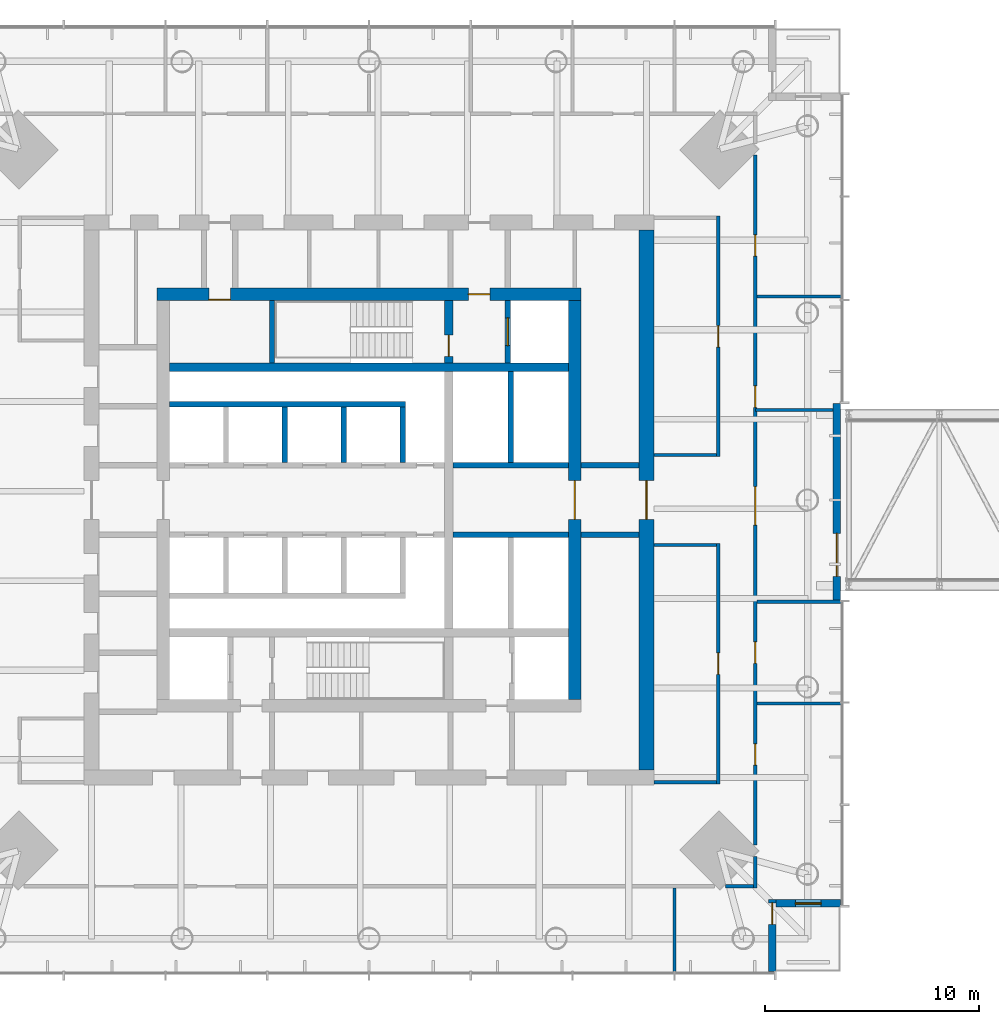
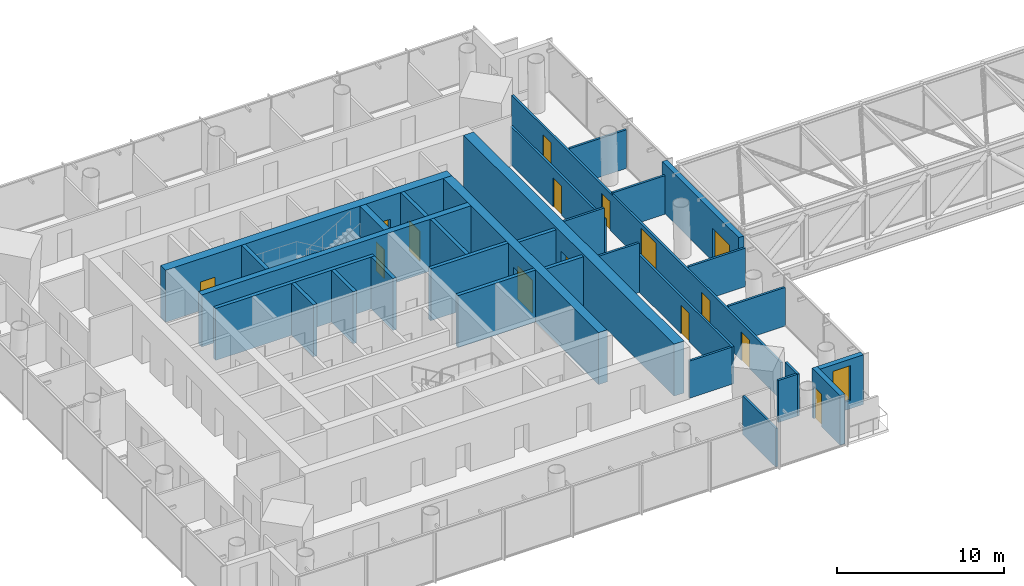
# One storey, part 14 of 19: 32 walls, 15 doors, 1 window, 16 openings.
"""IFC4 building model written with IfcOpenShell, lengths in metres."""

from ifc_helpers import new_model, si_unit, direction, frame, frame_2d, origin, place, context, subcontext, project, spatial, rectangle, extrude, material, layer, layer_set, type_object, element, fill, save


model = new_model("IFC4")

# Units and contexts
model_context = context("Model", 3, precision=1e-05, world=origin(), true_north=direction((0.0, 1.0)))
body_context = subcontext(model_context, "Body", "Model", "MODEL_VIEW")
ifc_project = project(units=[si_unit("LENGTHUNIT", "METRE"), si_unit("AREAUNIT", "SQUARE_METRE"), si_unit("VOLUMEUNIT", "CUBIC_METRE"), si_unit("PLANEANGLEUNIT", "RADIAN"), si_unit("MASSUNIT", "GRAM", prefix="KILO")], contexts=[model_context])

# Site, building, storey
site_placement = place(None, origin())
site = spatial("IfcSite", under=ifc_project, at=site_placement, CompositionType="ELEMENT")
building_placement = place(site_placement, origin())
building = spatial("IfcBuilding", under=site, at=building_placement, Name="Ostroluk Exchange", CompositionType="ELEMENT")
storey_placement = place(building_placement, frame((0.0, 0.0, 131.199951171875)))
storey = spatial("IfcBuildingStorey", under=building, at=storey_placement, Name="L33", CompositionType="ELEMENT", Elevation=131.199951171875)

# Walls
ifc_material_1 = material(Name="Concrete blockwork", Category="masonry")
ifc_layer_1 = layer(ifc_material_1, 0.25)
ifc_layer_set_1 = layer_set([ifc_layer_1], Name="Blockwork stair enclosure wall 250")
wall_type_1 = type_object("IfcWallType", Name="Blockwork stair enclosure wall 250", PredefinedType="SOLIDWALL", material=ifc_layer_set_1)
for number, where, z_axis, x_axis, name in (
    (1, (54.89990234375, 44.375, 0.0), (0.0, 0.0, 1.0), (1.0, 0.0, 0.0), "Lift lobby enclosure wall"),
    (2, (54.89990234375, 47.625, 0.0), (0.0, 0.0, 1.0), (1.0, 0.0, 0.0), "Lift lobby enclosure wall"),
):
    element("IfcWall", number, at=place(storey_placement, frame(where, z_axis=z_axis, x_axis=x_axis)), inside=storey, type_object=wall_type_1, Name=name, PredefinedType="SOLIDWALL", context=body_context, shape_type="SweptSolid", body=[
        extrude(rectangle(XDim=2.7001953125, YDim=0.25, at=frame_2d((1.35009765625, 0.0))), origin(), (0.0, 0.0, 1.0), 3.6201171875),
    ])
ifc_material_2 = material(Name="Concrete C50/60", Category="concrete")
ifc_layer_2 = layer(ifc_material_2, 0.39990234375)
ifc_layer_set_2 = layer_set([ifc_layer_2], Name="Core cross wall 400 C50/60")
wall_type_2 = type_object("IfcWallType", Name="Core cross wall 400 C50/60", PredefinedType="SHEAR", material=ifc_layer_set_2)
wall_1_placement = place(storey_placement, frame((35.699951171875, 52.199951171875, 0.0), z_axis=(0.0, 0.0, 1.0), x_axis=(1.0, 0.0, 0.0)))
element("IfcWall", 3, at=wall_1_placement, inside=storey, type_object=wall_type_2, Name="T1 core wall XN", PredefinedType="SHEAR", context=body_context, shape_type="SweptSolid", body=[
    extrude(rectangle(XDim=18.60009765625, YDim=0.39990234375, at=frame_2d((9.300048828125, 0.0))), origin(), (0.0, 0.0, 1.0), 3.800048828125),
])

# Wall, opening, door
wall_2_placement = place(storey_placement, frame((48.72998046875, 52.39990234375, 0.0), z_axis=(0.0, 0.0, 1.0), x_axis=(0.0, 1.0, 0.0)))
wall_2 = element("IfcWall", 4, at=wall_2_placement, inside=storey, type_object=wall_type_2, Name="T1 core wall YE3", PredefinedType="SHEAR", context=body_context, shape_type="SweptSolid", body=[
    extrude(rectangle(XDim=2.900146484375, YDim=0.39990234375, at=frame_2d((1.4501953125, 0.0))), origin(), (0.0, 0.0, 1.0), 3.800048828125),
])
opening_1_placement = place(wall_2_placement, frame((0.300048828125, 0.0, 0.0)))
opening_1 = element("IfcOpeningElement", 5, at=opening_1_placement, cuts=wall_2, Name="Opening FD60", PredefinedType="OPENING", context=body_context, shape_type="SweptSolid", body=[
    extrude(rectangle(XDim=1.0, YDim=2.10009765625, at=frame_2d((0.5, 1.050048828125))), frame((0.0, 0.2099609375, 0.0), z_axis=(0.0, -1.0, 0.0), x_axis=(1.0, 0.0, 0.0)), (0.0, 0.0, 1.0), 0.419921875),
])
ifc_material_3 = material(Name="Steel", Category="steel")
door_type_1 = type_object("IfcDoorType", Name="Fire door EI 60 1000 x 2100", OperationType="SINGLE_SWING_LEFT", PredefinedType="DOOR", material=ifc_material_3)
door_1_placement = place(opening_1_placement, origin())
door_1 = element("IfcDoor", 6, at=door_1_placement, inside=storey, type_object=door_type_1, Name="Stair T1-S2 door", OperationType="SINGLE_SWING_LEFT", OverallHeight=2.10009765625, OverallWidth=1.0, PredefinedType="DOOR", context=body_context, shape_type="SweptSolid", body=[
    extrude(rectangle(XDim=1.0, YDim=2.10009765625, at=frame_2d((0.5, 1.050048828125))), frame((0.0, 0.02490234375, 0.0), z_axis=(0.0, -1.0, 0.0), x_axis=(1.0, 0.0, 0.0)), (0.0, 0.0, 1.0), 0.050048828125),
])
fill(opening_1, door_1)

# Wall
ifc_material_4 = material(Name="Concrete C40/50", Category="concrete")
ifc_layer_3 = layer(ifc_material_4, 0.25)
ifc_layer_set_3 = layer_set([ifc_layer_3], Name="Core shaft wall 250")
wall_type_3 = type_object("IfcWallType", Name="Core shaft wall 250", PredefinedType="SHEAR", material=ifc_layer_set_3)
wall_3_placement = place(storey_placement, frame((40.47509765625, 52.39990234375, 0.0), z_axis=(0.0, 0.0, 1.0), x_axis=(0.0, 1.0, 0.0)))
element("IfcWall", 7, at=wall_3_placement, inside=storey, type_object=wall_type_3, Name="Stair shaft wall", PredefinedType="SHEAR", context=body_context, shape_type="SweptSolid", body=[
    extrude(rectangle(XDim=2.900146484375, YDim=0.25, at=frame_2d((1.4501953125, 0.0))), origin(), (0.0, 0.0, 1.0), 3.800048828125),
])

# Wall, opening, door
wall_4_placement = place(storey_placement, frame((51.47509765625, 52.39990234375, 0.0), z_axis=(0.0, 0.0, 1.0), x_axis=(0.0, 1.0, 0.0)))
wall_4 = element("IfcWall", 8, at=wall_4_placement, inside=storey, type_object=wall_type_3, Name="Firefighting lift shaft wall", PredefinedType="SHEAR", context=body_context, shape_type="SweptSolid", body=[
    extrude(rectangle(XDim=2.900146484375, YDim=0.25, at=frame_2d((1.4501953125, 0.0))), origin(), (0.0, 0.0, 1.0), 3.800048828125),
])
opening_2_placement = place(wall_4_placement, frame((0.800048828125, 0.0, 0.0)))
opening_2 = element("IfcOpeningElement", 9, at=opening_2_placement, cuts=wall_4, Name="Opening LD2", PredefinedType="OPENING", context=body_context, shape_type="SweptSolid", body=[
    extrude(rectangle(XDim=1.300048828125, YDim=2.199951171875, at=frame_2d((0.64990234375, 1.10009765625))), frame((0.0, 0.135009765625, 0.0), z_axis=(0.0, -1.0, 0.0), x_axis=(1.0, 0.0, 0.0)), (0.0, 0.0, 1.0), 0.27001953125),
])
ifc_material_5 = material(Name="Stainless steel", Category="steel")
door_type_2 = type_object("IfcDoorType", Name="Lift landing door E 60 1300 x 2200", OperationType="DOUBLE_DOOR_SLIDING", PredefinedType="DOOR", material=ifc_material_5)
door_2_placement = place(opening_2_placement, origin())
door_2 = element("IfcDoor", 10, at=door_2_placement, inside=storey, type_object=door_type_2, Name="Lift FL2 landing door", OperationType="DOUBLE_DOOR_SLIDING", OverallHeight=2.199951171875, OverallWidth=1.300048828125, PredefinedType="DOOR", context=body_context, shape_type="SweptSolid", body=[
    extrude(rectangle(XDim=1.300048828125, YDim=2.199951171875, at=frame_2d((0.64990234375, 1.10009765625))), frame((0.0, 0.02490234375, 0.0), z_axis=(0.0, -1.0, 0.0), x_axis=(1.0, 0.0, 0.0)), (0.0, 0.0, 1.0), 0.050048828125),
])
fill(opening_2, door_2)

# Walls
for number, where, z_axis, x_axis, name in (
    (11, (41.074951171875, 47.75, 0.0), (0.0, 0.0, 1.0), (0.0, 1.0, 0.0), "Lift shaft wall"),
    (12, (43.824951171875, 47.75, 0.0), (0.0, 0.0, 1.0), (0.0, 1.0, 0.0), "Lift shaft wall"),
    (13, (46.574951171875, 47.75, 0.0), (0.0, 0.0, 1.0), (0.0, 1.0, 0.0), "Lift shaft wall"),
):
    element("IfcWall", number, at=place(storey_placement, frame(where, z_axis=z_axis, x_axis=x_axis)), inside=storey, type_object=wall_type_3, Name=name, PredefinedType="SHEAR", context=body_context, shape_type="SweptSolid", body=[
        extrude(rectangle(XDim=2.60009765625, YDim=0.25, at=frame_2d((1.300048828125, 0.0))), origin(), (0.0, 0.0, 1.0), 3.800048828125),
    ])
wall_5_placement = place(storey_placement, frame((35.699951171875, 50.47509765625, 0.0), z_axis=(0.0, 0.0, 1.0), x_axis=(1.0, 0.0, 0.0)))
element("IfcWall", 14, at=wall_5_placement, inside=storey, type_object=wall_type_3, Name="Lift shaft wall", PredefinedType="SHEAR", context=body_context, shape_type="SweptSolid", body=[
    extrude(rectangle(XDim=11.0, YDim=0.25, at=frame_2d((5.5, 0.0))), origin(), (0.0, 0.0, 1.0), 3.800048828125),
])
wall_6_placement = place(storey_placement, frame((51.614990234375, 47.75, 0.0), z_axis=(0.0, 0.0, 1.0), x_axis=(0.0, 1.0, 0.0)))
element("IfcWall", 15, at=wall_6_placement, inside=storey, type_object=wall_type_3, Name="Lift shaft wall", PredefinedType="SHEAR", context=body_context, shape_type="SweptSolid", body=[
    extrude(rectangle(XDim=4.25, YDim=0.25, at=frame_2d((2.125, 0.0))), origin(), (0.0, 0.0, 1.0), 3.800048828125),
])
for number, where, z_axis, x_axis, name in (
    (16, (48.929931640625, 47.625, 0.0), (0.0, 0.0, 1.0), (1.0, 0.0, 0.0), "Lift shaft front wall"),
    (17, (48.929931640625, 44.375, 0.0), (0.0, 0.0, 1.0), (1.0, 0.0, 0.0), "Lift shaft front wall"),
):
    element("IfcWall", number, at=place(storey_placement, frame(where, z_axis=z_axis, x_axis=x_axis)), inside=storey, type_object=wall_type_3, Name=name, PredefinedType="SHEAR", context=body_context, shape_type="SweptSolid", body=[
        extrude(rectangle(XDim=5.3701171875, YDim=0.25, at=frame_2d((2.68505859375, 0.0))), origin(), (0.0, 0.0, 1.0), 3.800048828125),
    ])

# Wall, openings, doors
ifc_material_6 = material(Name="Concrete C50/60", Category="concrete")
ifc_layer_4 = layer(ifc_material_6, 0.60009765625)
ifc_layer_set_4 = layer_set([ifc_layer_4], Name="Core wall 600 C50/60")
wall_type_4 = type_object("IfcWallType", Name="Core wall 600 C50/60", PredefinedType="SHEAR", material=ifc_layer_set_4)
wall_7_placement = place(storey_placement, frame((35.10009765625, 55.60009765625, 0.0), z_axis=(0.0, 0.0, 1.0), x_axis=(1.0, 0.0, 0.0)))
wall_7 = element("IfcWall", 18, at=wall_7_placement, inside=storey, type_object=wall_type_4, Name="T1 core wall N", PredefinedType="SHEAR", context=body_context, shape_type="SweptSolid", body=[
    extrude(rectangle(XDim=19.7998046875, YDim=0.60009765625, at=frame_2d((9.89990234375, 0.0))), origin(), (0.0, 0.0, 1.0), 3.800048828125),
])
opening_3_placement = place(wall_7_placement, frame((14.5400390625, 0.0, 0.0)))
opening_3 = element("IfcOpeningElement", 19, at=opening_3_placement, cuts=wall_7, Name="Opening FD60", PredefinedType="OPENING", context=body_context, shape_type="SweptSolid", body=[
    extrude(rectangle(XDim=1.0, YDim=2.10009765625, at=frame_2d((0.5, 1.050048828125))), frame((0.0, 0.31005859375, 0.0), z_axis=(0.0, -1.0, 0.0), x_axis=(1.0, 0.0, 0.0)), (0.0, 0.0, 1.0), 0.6201171875),
])
opening_4_placement = place(wall_7_placement, frame((2.425048828125, 0.0, 0.0)))
opening_4 = element("IfcOpeningElement", 20, at=opening_4_placement, cuts=wall_7, Name="Opening FD60", PredefinedType="OPENING", context=body_context, shape_type="SweptSolid", body=[
    extrude(rectangle(XDim=1.0, YDim=2.10009765625, at=frame_2d((0.5, 1.050048828125))), frame((0.0, 0.31005859375, 0.0), z_axis=(0.0, -1.0, 0.0), x_axis=(1.0, 0.0, 0.0)), (0.0, 0.0, 1.0), 0.6201171875),
])
door_3_placement = place(opening_3_placement, origin())
door_3 = element("IfcDoor", 21, at=door_3_placement, inside=storey, type_object=door_type_1, Name="Firefighting lobby door", OperationType="SINGLE_SWING_RIGHT", OverallHeight=2.10009765625, OverallWidth=1.0, PredefinedType="DOOR", context=body_context, shape_type="SweptSolid", body=[
    extrude(rectangle(XDim=1.0, YDim=2.10009765625, at=frame_2d((0.5, 1.050048828125))), frame((0.0, 0.02490234375, 0.0), z_axis=(0.0, -1.0, 0.0), x_axis=(1.0, 0.0, 0.0)), (0.0, 0.0, 1.0), 0.050048828125),
])
fill(opening_3, door_3)
door_4_placement = place(opening_4_placement, origin())
door_4 = element("IfcDoor", 22, at=door_4_placement, inside=storey, type_object=door_type_1, Name="Tea point door", OperationType="SINGLE_SWING_LEFT", OverallHeight=2.10009765625, OverallWidth=1.0, PredefinedType="DOOR", context=body_context, shape_type="SweptSolid", body=[
    extrude(rectangle(XDim=1.0, YDim=2.10009765625, at=frame_2d((0.5, 1.050048828125))), frame((0.0, -0.23974609375, 0.0), z_axis=(0.0, -1.0, 0.0), x_axis=(1.0, 0.0, 0.0)), (0.0, 0.0, 1.0), 0.050048828125),
])
fill(opening_4, door_4)

# Wall, opening, door
wall_8_placement = place(storey_placement, frame((54.60009765625, 36.699951171875, 0.0), z_axis=(0.0, 0.0, 1.0), x_axis=(0.0, 1.0, 0.0)))
wall_8 = element("IfcWall", 23, at=wall_8_placement, inside=storey, type_object=wall_type_4, Name="T1 core wall E", PredefinedType="SHEAR", context=body_context, shape_type="SweptSolid", body=[
    extrude(rectangle(XDim=18.60009765625, YDim=0.60009765625, at=frame_2d((9.300048828125, 0.0))), origin(), (0.0, 0.0, 1.0), 3.800048828125),
])
opening_5_placement = place(wall_8_placement, frame((8.39990234375, 0.0, 0.0)))
opening_5 = element("IfcOpeningElement", 24, at=opening_5_placement, cuts=wall_8, Name="Opening FD30D", PredefinedType="OPENING", context=body_context, shape_type="SweptSolid", body=[
    extrude(rectangle(XDim=1.800048828125, YDim=2.39990234375, at=frame_2d((0.89990234375, 1.199951171875))), frame((0.0, 0.31005859375, 0.0), z_axis=(0.0, -1.0, 0.0), x_axis=(1.0, 0.0, 0.0)), (0.0, 0.0, 1.0), 0.6201171875),
])
ifc_material_7 = material(Name="Timber", Category="wood")
door_type_3 = type_object("IfcDoorType", Name="Lobby double door EI 30 1800 x 2400", OperationType="DOUBLE_DOOR_SINGLE_SWING", PredefinedType="DOOR", material=ifc_material_7)
door_5_placement = place(opening_5_placement, origin())
door_5 = element("IfcDoor", 25, at=door_5_placement, inside=storey, type_object=door_type_3, Name="Lift lobby doors", OperationType="DOUBLE_DOOR_SINGLE_SWING", OverallHeight=2.39990234375, OverallWidth=1.800048828125, PredefinedType="DOOR", context=body_context, shape_type="SweptSolid", body=[
    extrude(rectangle(XDim=1.800048828125, YDim=2.39990234375, at=frame_2d((0.89990234375, 1.199951171875))), frame((0.0, 0.02490234375, 0.0), z_axis=(0.0, -1.0, 0.0), x_axis=(1.0, 0.0, 0.0)), (0.0, 0.0, 1.0), 0.050048828125),
])
fill(opening_5, door_5)

ifc_material_8 = material(Name="Concrete C50/60", Category="concrete")
ifc_layer_5 = layer(ifc_material_8, 0.699951171875)
ifc_layer_set_5 = layer_set([ifc_layer_5], Name="Core wall 700 C50/60")
wall_type_5 = type_object("IfcWallType", Name="Core wall 700 C50/60", PredefinedType="SHEAR", material=ifc_layer_set_5)
wall_9_placement = place(storey_placement, frame((57.949951171875, 33.39990234375, 0.0), z_axis=(0.0, 0.0, 1.0), x_axis=(0.0, 1.0, 0.0)))
wall_9 = element("IfcWall", 26, at=wall_9_placement, inside=storey, type_object=wall_type_5, Name="T1 core wall RE", PredefinedType="SHEAR", context=body_context, shape_type="SweptSolid", body=[
    extrude(rectangle(XDim=25.2001953125, YDim=0.699951171875, at=frame_2d((12.60009765625, 0.0))), origin(), (0.0, 0.0, 1.0), 3.800048828125),
])
opening_6_placement = place(wall_9_placement, frame((11.699951171875, 0.0, 0.0)))
opening_6 = element("IfcOpeningElement", 27, at=opening_6_placement, cuts=wall_9, Name="Opening FD30D", PredefinedType="OPENING", context=body_context, shape_type="SweptSolid", body=[
    extrude(rectangle(XDim=1.800048828125, YDim=2.39990234375, at=frame_2d((0.89990234375, 1.199951171875))), frame((0.0, 0.35986328125, 0.0), z_axis=(0.0, -1.0, 0.0), x_axis=(1.0, 0.0, 0.0)), (0.0, 0.0, 1.0), 0.719970703125),
])
door_6_placement = place(opening_6_placement, origin())
door_6 = element("IfcDoor", 28, at=door_6_placement, inside=storey, type_object=door_type_3, Name="Lift lobby doors", OperationType="DOUBLE_DOOR_SINGLE_SWING", OverallHeight=2.39990234375, OverallWidth=1.800048828125, PredefinedType="DOOR", context=body_context, shape_type="SweptSolid", body=[
    extrude(rectangle(XDim=1.800048828125, YDim=2.39990234375, at=frame_2d((0.89990234375, 1.199951171875))), frame((0.0, 0.02490234375, 0.0), z_axis=(0.0, -1.0, 0.0), x_axis=(1.0, 0.0, 0.0)), (0.0, 0.0, 1.0), 0.050048828125),
])
fill(opening_6, door_6)

ifc_material_9 = material(Name="Limestone", Category="masonry")
ifc_layer_6 = layer(ifc_material_9, 0.35009765625)
ifc_layer_set_6 = layer_set([ifc_layer_6], Name="Limestone facade wall 350")
wall_type_6 = type_object("IfcWallType", Name="Limestone facade wall 350", PredefinedType="SOLIDWALL", material=ifc_layer_set_6)
wall_10_placement = place(storey_placement, frame((63.824951171875, 24.0, 0.0), z_axis=(0.0, 0.0, 1.0), x_axis=(0.0, 1.0, 0.0)))
wall_10 = element("IfcWall", 29, at=wall_10_placement, inside=storey, type_object=wall_type_6, Name="Office tower SE corner wall L33 a", PredefinedType="SOLIDWALL", context=body_context, shape_type="SweptSolid", body=[
    extrude(rectangle(XDim=3.35009765625, YDim=0.35009765625, at=frame_2d((1.675048828125, 0.0))), origin(), (0.0, 0.0, 1.0), 3.6201171875),
])
opening_7_placement = place(wall_10_placement, frame((2.199951171875, 0.0, 0.0)))
opening_7 = element("IfcOpeningElement", 30, at=opening_7_placement, cuts=wall_10, Name="Opening D-B1", PredefinedType="OPENING", context=body_context, shape_type="SweptSolid", body=[
    extrude(rectangle(XDim=1.0, YDim=2.39990234375, at=frame_2d((0.5, 1.199951171875))), frame((0.0, 0.18505859375, 0.0), z_axis=(0.0, -1.0, 0.0), x_axis=(1.0, 0.0, 0.0)), (0.0, 0.0, 1.0), 0.3701171875),
])
ifc_material_10 = material(Name="Bronze framed glazed door", Category="aluminium")
door_type_4 = type_object("IfcDoorType", Name="Balcony door 1000 x 2400", OperationType="SINGLE_SWING_LEFT", PredefinedType="DOOR", material=ifc_material_10)
door_7_placement = place(opening_7_placement, origin())
door_7 = element("IfcDoor", 31, at=door_7_placement, inside=storey, type_object=door_type_4, Name="Office tower SE balcony door L33", OperationType="SINGLE_SWING_RIGHT", OverallHeight=2.39990234375, OverallWidth=1.0, PredefinedType="DOOR", context=body_context, shape_type="SweptSolid", body=[
    extrude(rectangle(XDim=1.0, YDim=2.39990234375, at=frame_2d((0.5, 1.199951171875))), frame((0.0, 0.02490234375, 0.0), z_axis=(0.0, -1.0, 0.0), x_axis=(1.0, 0.0, 0.0)), (0.0, 0.0, 1.0), 0.050048828125),
])
fill(opening_7, door_7)

# Wall, opening, window
wall_11_placement = place(storey_placement, frame((64.0, 27.175048828125, 0.0), z_axis=(0.0, 0.0, 1.0), x_axis=(1.0, 0.0, 0.0)))
wall_11 = element("IfcWall", 32, at=wall_11_placement, inside=storey, type_object=wall_type_6, Name="Office tower SE corner wall L33 b", PredefinedType="SOLIDWALL", context=body_context, shape_type="SweptSolid", body=[
    extrude(rectangle(XDim=3.0, YDim=0.35009765625, at=frame_2d((1.5, 0.0))), origin(), (0.0, 0.0, 1.0), 3.6201171875),
])
opening_8_placement = place(wall_11_placement, frame((0.89990234375, 0.0, 0.60009765625)))
opening_8 = element("IfcOpeningElement", 33, at=opening_8_placement, cuts=wall_11, Name="Opening WN-L1", PredefinedType="OPENING", context=body_context, shape_type="SweptSolid", body=[
    extrude(rectangle(XDim=1.199951171875, YDim=2.550048828125, at=frame_2d((0.60009765625, 1.27490234375))), frame((0.0, 0.18505859375, 0.0), z_axis=(0.0, -1.0, 0.0), x_axis=(1.0, 0.0, 0.0)), (0.0, 0.0, 1.0), 0.3701171875),
])
ifc_material_11 = material(Name="Laminated clear glass", Category="glass")
window_type = type_object("IfcWindowType", Name="Lancet window 1200 x 2550", PartitioningType="SINGLE_PANEL", PredefinedType="WINDOW", material=ifc_material_11)
window_placement = place(opening_8_placement, origin())
window = element("IfcWindow", 34, at=window_placement, inside=storey, type_object=window_type, Name="Office tower SE lancet window L33", OverallHeight=2.550048828125, OverallWidth=1.199951171875, PartitioningType="SINGLE_PANEL", PredefinedType="WINDOW", context=body_context, shape_type="SweptSolid", body=[
    extrude(rectangle(XDim=1.199951171875, YDim=2.550048828125, at=frame_2d((0.60009765625, 1.27490234375))), frame((0.0, 0.030029296875, 0.0), z_axis=(0.0, -1.0, 0.0), x_axis=(1.0, 0.0, 0.0)), (0.0, 0.0, 1.0), 0.06005859375),
])
fill(opening_8, window)

# Wall, opening, door
wall_12_placement = place(storey_placement, frame((66.824951171875, 41.324951171875, 0.0), z_axis=(0.0, 0.0, 1.0), x_axis=(0.0, 1.0, 0.0)))
wall_12 = element("IfcWall", 35, at=wall_12_placement, inside=storey, type_object=wall_type_6, Name="Office tower bridge portal wall", PredefinedType="SOLIDWALL", context=body_context, shape_type="SweptSolid", body=[
    extrude(rectangle(XDim=9.175048828125, YDim=0.35009765625, at=frame_2d((4.58740234375, 0.0))), origin(), (0.0, 0.0, 1.0), 3.6201171875),
])
opening_9_placement = place(wall_12_placement, frame((1.114990234375, 0.0, 0.0)))
opening_9 = element("IfcOpeningElement", 36, at=opening_9_placement, cuts=wall_12, Name="Opening D-F1", PredefinedType="OPENING", context=body_context, shape_type="SweptSolid", body=[
    extrude(rectangle(XDim=2.0, YDim=2.39990234375, at=frame_2d((1.0, 1.199951171875))), frame((0.0, 0.18505859375, 0.0), z_axis=(0.0, -1.0, 0.0), x_axis=(1.0, 0.0, 0.0)), (0.0, 0.0, 1.0), 0.3701171875),
])
ifc_material_12 = material(Name="Steel fire door", Category="steel")
door_type_5 = type_object("IfcDoorType", Name="Fire door 2000 x 2400 EI 60", OperationType="DOUBLE_DOOR_SINGLE_SWING", PredefinedType="DOOR", material=ifc_material_12)
door_8_placement = place(opening_9_placement, origin())
door_8 = element("IfcDoor", 37, at=door_8_placement, inside=storey, type_object=door_type_5, Name="Sky garden bridge fire door west", OperationType="DOUBLE_DOOR_SINGLE_SWING", OverallHeight=2.39990234375, OverallWidth=2.0, PredefinedType="DOOR", context=body_context, shape_type="SweptSolid", body=[
    extrude(rectangle(XDim=2.0, YDim=2.39990234375, at=frame_2d((1.0, 1.199951171875))), frame((0.0, 0.02490234375, 0.0), z_axis=(0.0, -1.0, 0.0), x_axis=(1.0, 0.0, 0.0)), (0.0, 0.0, 1.0), 0.050048828125),
])
fill(opening_9, door_8)

ifc_material_13 = material(Name="Gypsum plasterboard partition", Category="gypsum")
ifc_layer_7 = layer(ifc_material_13, 0.14990234375)
ifc_layer_set_7 = layer_set([ifc_layer_7], Name="Plasterboard partition 150")
wall_type_7 = type_object("IfcWallType", Name="Plasterboard partition 150", PredefinedType="PARTITIONING", material=ifc_layer_set_7)
wall_13_placement = place(storey_placement, frame((61.300048828125, 32.75, 0.0), z_axis=(0.0, 0.0, 1.0), x_axis=(0.0, 1.0, 0.0)))
wall_13 = element("IfcWall", 38, at=wall_13_placement, inside=storey, type_object=wall_type_7, Name="Partition", PredefinedType="PARTITIONING", context=body_context, shape_type="SweptSolid", body=[
    extrude(rectangle(XDim=11.22509765625, YDim=0.14990234375, at=frame_2d((5.612548828125, 0.0))), origin(), (0.0, 0.0, 1.0), 2.719970703125),
])
opening_10_placement = place(wall_13_placement, frame((5.112548828125, 0.0, 0.0)))
opening_10 = element("IfcOpeningElement", 39, at=opening_10_placement, cuts=wall_13, Name="Opening D-03", PredefinedType="OPENING", context=body_context, shape_type="SweptSolid", body=[
    extrude(rectangle(XDim=1.0, YDim=2.10009765625, at=frame_2d((0.5, 1.050048828125))), frame((0.0, 0.0849609375, 0.0), z_axis=(0.0, -1.0, 0.0), x_axis=(1.0, 0.0, 0.0)), (0.0, 0.0, 1.0), 0.169921875),
])
ifc_material_14 = material(Name="Timber", Category="wood")
door_type_6 = type_object("IfcDoorType", Name="Internal door 1000 x 2100", OperationType="SINGLE_SWING_LEFT", PredefinedType="DOOR", material=ifc_material_14)
door_9_placement = place(opening_10_placement, origin())
door_9 = element("IfcDoor", 40, at=door_9_placement, inside=storey, type_object=door_type_6, Name="Meeting room door", OperationType="SINGLE_SWING_LEFT", OverallHeight=2.10009765625, OverallWidth=1.0, PredefinedType="DOOR", context=body_context, shape_type="SweptSolid", body=[
    extrude(rectangle(XDim=1.0, YDim=2.10009765625, at=frame_2d((0.5, 1.050048828125))), frame((0.0, 0.02490234375, 0.0), z_axis=(0.0, -1.0, 0.0), x_axis=(1.0, 0.0, 0.0)), (0.0, 0.0, 1.0), 0.050048828125),
])
fill(opening_10, door_9)

# Walls
wall_14_placement = place(storey_placement, frame((58.300048828125, 32.824951171875, 0.0), z_axis=(0.0, 0.0, 1.0), x_axis=(1.0, 0.0, 0.0)))
element("IfcWall", 41, at=wall_14_placement, inside=storey, type_object=wall_type_7, Name="Partition", PredefinedType="PARTITIONING", context=body_context, shape_type="SweptSolid", body=[
    extrude(rectangle(XDim=2.925048828125, YDim=0.14990234375, at=frame_2d((1.46240234375, 0.0))), origin(), (0.0, 0.0, 1.0), 2.719970703125),
])
wall_15_placement = place(storey_placement, frame((58.300048828125, 43.89990234375, 0.0), z_axis=(0.0, 0.0, 1.0), x_axis=(1.0, 0.0, 0.0)))
element("IfcWall", 42, at=wall_15_placement, inside=storey, type_object=wall_type_7, Name="Partition", PredefinedType="PARTITIONING", context=body_context, shape_type="SweptSolid", body=[
    extrude(rectangle(XDim=2.925048828125, YDim=0.14990234375, at=frame_2d((1.46240234375, 0.0))), origin(), (0.0, 0.0, 1.0), 3.6201171875),
])

# Wall, opening, door
wall_16_placement = place(storey_placement, frame((61.300048828125, 48.02490234375, 0.0), z_axis=(0.0, 0.0, 1.0), x_axis=(0.0, 1.0, 0.0)))
wall_16 = element("IfcWall", 43, at=wall_16_placement, inside=storey, type_object=wall_type_7, Name="Partition", PredefinedType="PARTITIONING", context=body_context, shape_type="SweptSolid", body=[
    extrude(rectangle(XDim=11.22509765625, YDim=0.14990234375, at=frame_2d((5.612548828125, 0.0))), origin(), (0.0, 0.0, 1.0), 2.80615234375),
])
opening_11_placement = place(wall_16_placement, frame((5.112548828125, 0.0, 0.0)))
opening_11 = element("IfcOpeningElement", 44, at=opening_11_placement, cuts=wall_16, Name="Opening D-03", PredefinedType="OPENING", context=body_context, shape_type="SweptSolid", body=[
    extrude(rectangle(XDim=1.0, YDim=2.10009765625, at=frame_2d((0.5, 1.050048828125))), frame((0.0, 0.0849609375, 0.0), z_axis=(0.0, -1.0, 0.0), x_axis=(1.0, 0.0, 0.0)), (0.0, 0.0, 1.0), 0.169921875),
])
door_10_placement = place(opening_11_placement, origin())
door_10 = element("IfcDoor", 45, at=door_10_placement, inside=storey, type_object=door_type_6, Name="Project room door", OperationType="SINGLE_SWING_LEFT", OverallHeight=2.10009765625, OverallWidth=1.0, PredefinedType="DOOR", context=body_context, shape_type="SweptSolid", body=[
    extrude(rectangle(XDim=1.0, YDim=2.10009765625, at=frame_2d((0.5, 1.050048828125))), frame((0.0, 0.02490234375, 0.0), z_axis=(0.0, -1.0, 0.0), x_axis=(1.0, 0.0, 0.0)), (0.0, 0.0, 1.0), 0.050048828125),
])
fill(opening_11, door_10)

# Walls
wall_17_placement = place(storey_placement, frame((58.300048828125, 48.10009765625, 0.0), z_axis=(0.0, 0.0, 1.0), x_axis=(1.0, 0.0, 0.0)))
element("IfcWall", 46, at=wall_17_placement, inside=storey, type_object=wall_type_7, Name="Partition", PredefinedType="PARTITIONING", context=body_context, shape_type="SweptSolid", body=[
    extrude(rectangle(XDim=2.925048828125, YDim=0.14990234375, at=frame_2d((1.46240234375, 0.0))), origin(), (0.0, 0.0, 1.0), 3.6201171875),
])
wall_18_placement = place(storey_placement, frame((63.02490234375, 27.89990234375, 0.0), z_axis=(0.0, 0.0, 1.0), x_axis=(0.0, 1.0, 0.0)))
element("IfcWall", 47, at=wall_18_placement, inside=storey, type_object=wall_type_7, Name="Partition", PredefinedType="PARTITIONING", context=body_context, shape_type="SweptSolid", body=[
    extrude(rectangle(XDim=1.45458984375, YDim=0.14990234375, at=frame_2d((0.727294921875, 0.0))), origin(), (0.0, 0.0, 1.0), 3.070068359375),
])

# Wall, openings, doors
wall_19_placement = place(storey_placement, frame((63.02490234375, 29.888427734375, 0.0), z_axis=(0.0, 0.0, 1.0), x_axis=(0.0, 1.0, 0.0)))
wall_19 = element("IfcWall", 48, at=wall_19_placement, inside=storey, type_object=wall_type_7, Name="Partition", PredefinedType="PARTITIONING", context=body_context, shape_type="SweptSolid", body=[
    extrude(rectangle(XDim=32.22314453125, YDim=0.14990234375, at=frame_2d((16.111572265625, 0.0))), origin(), (0.0, 0.0, 1.0), 2.719970703125),
])
opening_12_placement = place(wall_19_placement, frame((3.736572265625, 0.0, 0.0)))
opening_12 = element("IfcOpeningElement", 49, at=opening_12_placement, cuts=wall_19, Name="Opening D-03", PredefinedType="OPENING", context=body_context, shape_type="SweptSolid", body=[
    extrude(rectangle(XDim=1.0, YDim=2.10009765625, at=frame_2d((0.5, 1.050048828125))), frame((0.0, 0.0849609375, 0.0), z_axis=(0.0, -1.0, 0.0), x_axis=(1.0, 0.0, 0.0)), (0.0, 0.0, 1.0), 0.169921875),
])
opening_13_placement = place(wall_19_placement, frame((8.486572265625, 0.0, 0.0)))
opening_13 = element("IfcOpeningElement", 50, at=opening_13_placement, cuts=wall_19, Name="Opening D-03", PredefinedType="OPENING", context=body_context, shape_type="SweptSolid", body=[
    extrude(rectangle(XDim=1.0, YDim=2.10009765625, at=frame_2d((0.5, 1.050048828125))), frame((0.0, 0.0849609375, 0.0), z_axis=(0.0, -1.0, 0.0), x_axis=(1.0, 0.0, 0.0)), (0.0, 0.0, 1.0), 0.169921875),
])
opening_14_placement = place(wall_19_placement, frame((14.9365234375, 0.0, 0.0)))
opening_14 = element("IfcOpeningElement", 51, at=opening_14_placement, cuts=wall_19, Name="Opening FD30D", PredefinedType="OPENING", context=body_context, shape_type="SweptSolid", body=[
    extrude(rectangle(XDim=1.800048828125, YDim=2.39990234375, at=frame_2d((0.89990234375, 1.199951171875))), frame((0.0, 0.0849609375, 0.0), z_axis=(0.0, -1.0, 0.0), x_axis=(1.0, 0.0, 0.0)), (0.0, 0.0, 1.0), 0.169921875),
])
opening_15_placement = place(wall_19_placement, frame((20.4365234375, 0.0, 0.0)))
opening_15 = element("IfcOpeningElement", 52, at=opening_15_placement, cuts=wall_19, Name="Opening D-03", PredefinedType="OPENING", context=body_context, shape_type="SweptSolid", body=[
    extrude(rectangle(XDim=1.0, YDim=2.10009765625, at=frame_2d((0.5, 1.050048828125))), frame((0.0, 0.0849609375, 0.0), z_axis=(0.0, -1.0, 0.0), x_axis=(1.0, 0.0, 0.0)), (0.0, 0.0, 1.0), 0.169921875),
])
opening_16_placement = place(wall_19_placement, frame((27.486572265625, 0.0, 0.0)))
opening_16 = element("IfcOpeningElement", 53, at=opening_16_placement, cuts=wall_19, Name="Opening D-03", PredefinedType="OPENING", context=body_context, shape_type="SweptSolid", body=[
    extrude(rectangle(XDim=1.0, YDim=2.10009765625, at=frame_2d((0.5, 1.050048828125))), frame((0.0, 0.0849609375, 0.0), z_axis=(0.0, -1.0, 0.0), x_axis=(1.0, 0.0, 0.0)), (0.0, 0.0, 1.0), 0.169921875),
])
door_11_placement = place(opening_12_placement, origin())
door_11 = element("IfcDoor", 54, at=door_11_placement, inside=storey, type_object=door_type_6, Name="Office suite door", OperationType="SINGLE_SWING_LEFT", OverallHeight=2.10009765625, OverallWidth=1.0, PredefinedType="DOOR", context=body_context, shape_type="SweptSolid", body=[
    extrude(rectangle(XDim=1.0, YDim=2.10009765625, at=frame_2d((0.5, 1.050048828125))), frame((0.0, 0.02490234375, 0.0), z_axis=(0.0, -1.0, 0.0), x_axis=(1.0, 0.0, 0.0)), (0.0, 0.0, 1.0), 0.050048828125),
])
fill(opening_12, door_11)
door_12_placement = place(opening_13_placement, origin())
door_12 = element("IfcDoor", 55, at=door_12_placement, inside=storey, type_object=door_type_6, Name="Meeting room door", OperationType="SINGLE_SWING_LEFT", OverallHeight=2.10009765625, OverallWidth=1.0, PredefinedType="DOOR", context=body_context, shape_type="SweptSolid", body=[
    extrude(rectangle(XDim=1.0, YDim=2.10009765625, at=frame_2d((0.5, 1.050048828125))), frame((0.0, 0.02490234375, 0.0), z_axis=(0.0, -1.0, 0.0), x_axis=(1.0, 0.0, 0.0)), (0.0, 0.0, 1.0), 0.050048828125),
])
fill(opening_13, door_12)
door_13_placement = place(opening_15_placement, origin())
door_13 = element("IfcDoor", 56, at=door_13_placement, inside=storey, type_object=door_type_6, Name="Office door", OperationType="SINGLE_SWING_RIGHT", OverallHeight=2.10009765625, OverallWidth=1.0, PredefinedType="DOOR", context=body_context, shape_type="SweptSolid", body=[
    extrude(rectangle(XDim=1.0, YDim=2.10009765625, at=frame_2d((0.5, 1.050048828125))), frame((0.0, 0.02490234375, 0.0), z_axis=(0.0, -1.0, 0.0), x_axis=(1.0, 0.0, 0.0)), (0.0, 0.0, 1.0), 0.050048828125),
])
fill(opening_15, door_13)
door_14_placement = place(opening_16_placement, origin())
door_14 = element("IfcDoor", 57, at=door_14_placement, inside=storey, type_object=door_type_6, Name="Office door", OperationType="SINGLE_SWING_RIGHT", OverallHeight=2.10009765625, OverallWidth=1.0, PredefinedType="DOOR", context=body_context, shape_type="SweptSolid", body=[
    extrude(rectangle(XDim=1.0, YDim=2.10009765625, at=frame_2d((0.5, 1.050048828125))), frame((0.0, 0.02490234375, 0.0), z_axis=(0.0, -1.0, 0.0), x_axis=(1.0, 0.0, 0.0)), (0.0, 0.0, 1.0), 0.050048828125),
])
fill(opening_16, door_14)
door_15_placement = place(opening_14_placement, origin())
door_15 = element("IfcDoor", 58, at=door_15_placement, inside=storey, type_object=door_type_3, Name="Bridge lobby door", OperationType="DOUBLE_DOOR_SINGLE_SWING", OverallHeight=2.39990234375, OverallWidth=1.800048828125, PredefinedType="DOOR", context=body_context, shape_type="SweptSolid", body=[
    extrude(rectangle(XDim=1.800048828125, YDim=2.39990234375, at=frame_2d((0.89990234375, 1.199951171875))), frame((0.0, 0.02490234375, 0.0), z_axis=(0.0, -1.0, 0.0), x_axis=(1.0, 0.0, 0.0)), (0.0, 0.0, 1.0), 0.050048828125),
])
fill(opening_14, door_15)

# Walls
for number, where, z_axis, x_axis, name in (
    (59, (63.10009765625, 36.5, 0.0), (0.0, 0.0, 1.0), (1.0, 0.0, 0.0), "Partition"),
    (60, (63.10009765625, 41.25, 0.0), (0.0, 0.0, 1.0), (1.0, 0.0, 0.0), "Partition"),
    (61, (63.10009765625, 55.5, 0.0), (0.0, 0.0, 1.0), (1.0, 0.0, 0.0), "Partition"),
):
    element("IfcWall", number, at=place(storey_placement, frame(where, z_axis=z_axis, x_axis=x_axis)), inside=storey, type_object=wall_type_7, Name=name, PredefinedType="PARTITIONING", context=body_context, shape_type="SweptSolid", body=[
        extrude(rectangle(XDim=3.93994140625, YDim=0.14990234375, at=frame_2d((1.969970703125, 0.0))), origin(), (0.0, 0.0, 1.0), 2.820068359375),
    ])
wall_20_placement = place(storey_placement, frame((61.6455078125, 27.97509765625, 0.0), z_axis=(0.0, 0.0, 1.0), x_axis=(1.0, 0.0, 0.0)))
element("IfcWall", 62, at=wall_20_placement, inside=storey, type_object=wall_type_7, Name="Partition", PredefinedType="PARTITIONING", context=body_context, shape_type="SweptSolid", body=[
    extrude(rectangle(XDim=1.304443359375, YDim=0.14990234375, at=frame_2d((0.65234375, 0.0))), origin(), (0.0, 0.0, 1.0), 3.070068359375),
])
wall_21_placement = place(storey_placement, frame((59.25, 27.89990234375, 0.0), z_axis=(0.0, 0.0, 1.0), x_axis=(0.0, -1.0, 0.0)))
element("IfcWall", 63, at=wall_21_placement, inside=storey, type_object=wall_type_7, Name="Partition", PredefinedType="PARTITIONING", context=body_context, shape_type="SweptSolid", body=[
    extrude(rectangle(XDim=3.93994140625, YDim=0.14990234375, at=frame_2d((1.969970703125, 0.0))), origin(), (0.0, 0.0, 1.0), 2.820068359375),
])
wall_22_placement = place(storey_placement, frame((63.02490234375, 50.199951171875, 0.0), z_axis=(0.0, 0.0, 1.0), x_axis=(1.0, 0.0, 0.0)))
element("IfcWall", 64, at=wall_22_placement, inside=storey, type_object=wall_type_7, Name="Partition", PredefinedType="PARTITIONING", context=body_context, shape_type="SweptSolid", body=[
    extrude(rectangle(XDim=3.625, YDim=0.14990234375, at=frame_2d((1.8125, 0.0))), origin(), (0.0, 0.0, 1.0), 2.820068359375),
])

save(model, "model.ifc")
